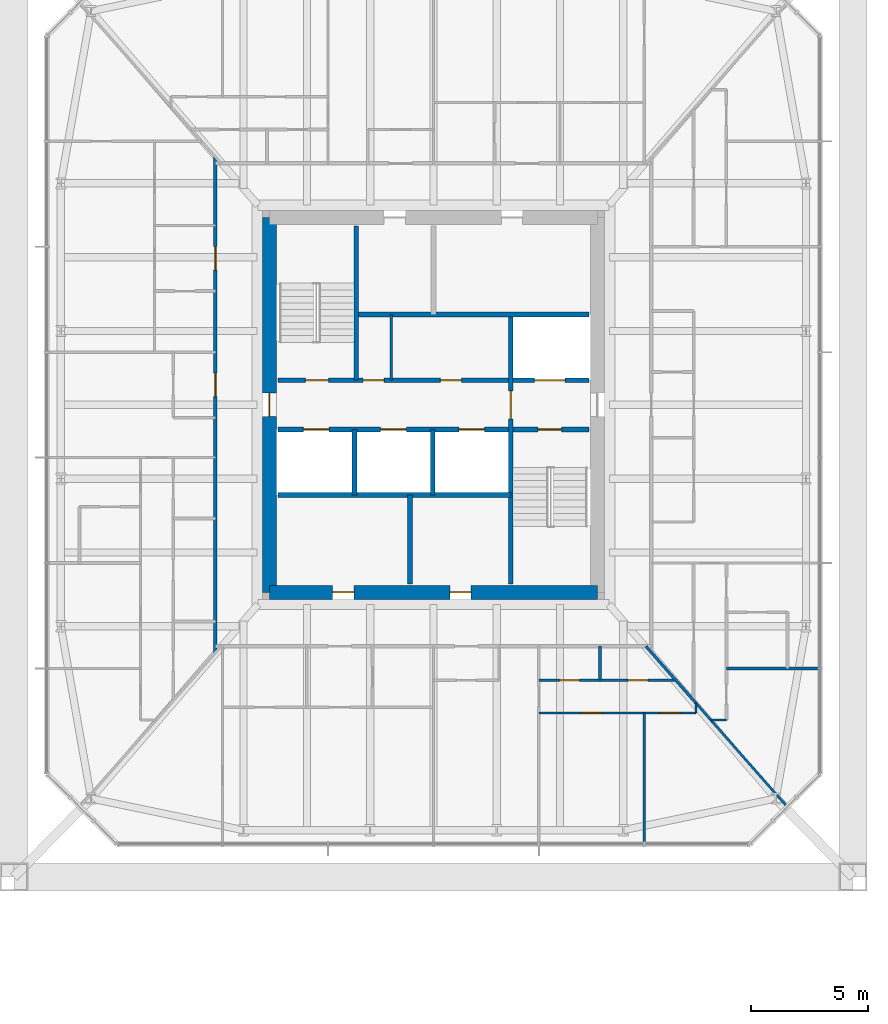
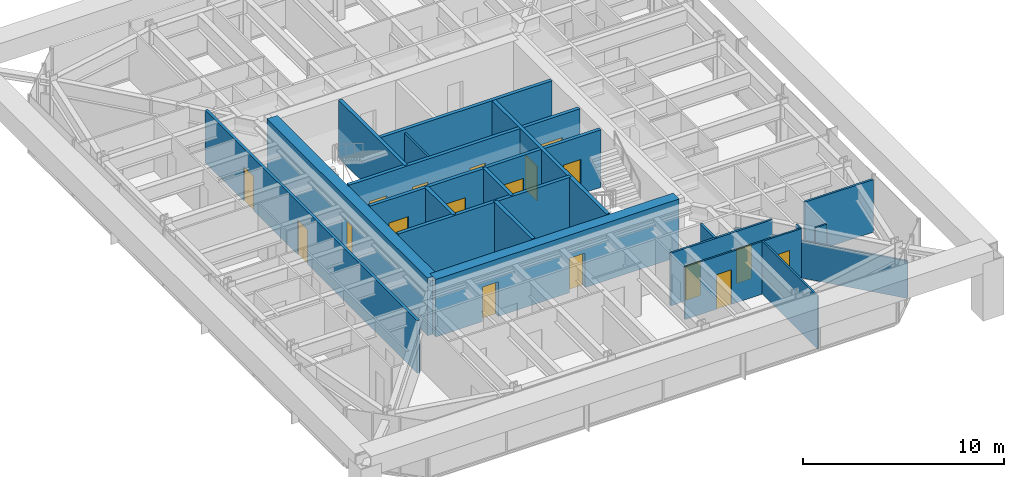
# One storey, part 25 of 32: 22 walls, 18 doors, 18 openings.
"""IFC4 building model written with IfcOpenShell, lengths in metres."""

import ifcopenshell
import ifcopenshell.guid

model = None  # the IFC model being written
_history = None  # IfcOwnerHistory: only IFC2X3 demands one
_inside = {}  # id of a spatial element -> (the spatial element, [elements in it])
_under = {}  # id of a project, library or spatial element -> (it, [spatial elements below it])
_declared = {}  # id of a project -> (the project, [libraries it declares])
_typed = {}  # id of a type object -> (the type object, [elements of that type])
_made_of = {}  # id of a material, layer set ... -> (it, [elements and type objects made of it])


def new_model(schema):
    """Start an empty IFC model of exactly this schema.

    Asked for "IFC4X3", IfcOpenShell would pick the latest addendum, in which some entities
    have other attributes; the version numbers below select the first issue.
    IFC2X3 requires an IfcOwnerHistory on every rooted entity: one is made here for all.
    """
    global model, _history
    if schema == "IFC4X3":
        model = ifcopenshell.file(schema_version=(4, 3, 0, 0))
    else:
        model = ifcopenshell.file(schema=schema)
    _inside.clear()
    _under.clear()
    _declared.clear()
    _typed.clear()
    _made_of.clear()
    _history = None
    if model.schema == "IFC2X3":
        org = make("IfcOrganization", Name="unknown")
        user = make(
            "IfcPersonAndOrganization",
            ThePerson=make("IfcPerson", FamilyName="unknown"),
            TheOrganization=org,
        )
        app = make(
            "IfcApplication",
            ApplicationDeveloper=org,
            Version="unknown",
            ApplicationFullName="unknown",
            ApplicationIdentifier="unknown",
        )
        _history = make(
            "IfcOwnerHistory",
            OwningUser=user,
            OwningApplication=app,
            ChangeAction="ADDED",
            CreationDate=0,
        )
    return model


def make(cls, **values):
    """One entity of the class cls with the attributes given. An attribute that is None is left unset."""
    return model.create_entity(
        cls, **{name: value for name, value in values.items() if value is not None}
    )


def rooted(cls, **values):
    """An entity with a GlobalId (a new one), such as an element, a storey or a relation."""
    return make(cls, GlobalId=ifcopenshell.guid.new(), OwnerHistory=_history, **values)


def si_unit(unit_type, name, prefix=None):
    """IfcSIUnit, for example si_unit("LENGTHUNIT", "METRE", prefix="MILLI")."""
    return make("IfcSIUnit", UnitType=unit_type, Prefix=prefix, Name=name)


def assignment(units):
    """IfcUnitAssignment: the units of a project."""
    return None if units is None else make("IfcUnitAssignment", Units=units)


def point(xyz):
    """IfcCartesianPoint."""
    return None if xyz is None else make("IfcCartesianPoint", Coordinates=xyz)


def direction(xyz):
    """IfcDirection."""
    return None if xyz is None else make("IfcDirection", DirectionRatios=xyz)


def frame(location, z_axis=None, x_axis=None):
    """IfcAxis2Placement3D, a coordinate frame: its origin and axes. An axis left out is left unset."""
    return make(
        "IfcAxis2Placement3D",
        Location=point(location),
        Axis=direction(z_axis),
        RefDirection=direction(x_axis),
    )


def frame_2d(location, x_axis=None):
    """IfcAxis2Placement2D, a coordinate frame in the plane: its origin and x axis."""
    return make(
        "IfcAxis2Placement2D", Location=point(location), RefDirection=direction(x_axis)
    )


def origin():
    """The frame at (0, 0, 0) with its axes left unset."""
    return frame((0.0, 0.0, 0.0))


def place(relative_to, where):
    """IfcLocalPlacement: puts the frame where relative to a parent placement (None: the world)."""
    return make(
        "IfcLocalPlacement", PlacementRelTo=relative_to, RelativePlacement=where
    )


def context(
    kind, dimensions, precision=None, world=None, true_north=None, identifier=None
):
    """IfcGeometricRepresentationContext, for example the 3D "Model" context."""
    return make(
        "IfcGeometricRepresentationContext",
        ContextIdentifier=identifier,
        ContextType=kind,
        CoordinateSpaceDimension=dimensions,
        Precision=precision,
        WorldCoordinateSystem=world,
        TrueNorth=true_north,
    )


def subcontext(parent, identifier, kind, view, scale=None):
    """IfcGeometricRepresentationSubContext, for example "Body" below "Model"."""
    return make(
        "IfcGeometricRepresentationSubContext",
        ContextIdentifier=identifier,
        ContextType=kind,
        ParentContext=parent,
        TargetScale=scale,
        TargetView=view,
    )


def project(units=None, contexts=None):
    """IfcProject with its units and contexts."""
    return rooted(
        "IfcProject",
        Name="project",
        RepresentationContexts=contexts,
        UnitsInContext=assignment(units),
    )


def spatial(cls, under=None, at=None, **own):
    """A site, building, storey or space (cls), placed at a placement, below another one or the project."""
    s = rooted(cls, ObjectPlacement=at, **own)
    if under is not None:
        _under.setdefault(under.id(), (under, []))[1].append(s)
    return s


def profile(cls, at=None, kind="AREA", **sizes):
    """A parametric profile (cls). Its sizes go by their IFC names, for example OverallWidth=200.0."""
    return make(cls, ProfileType=kind, Position=at, **sizes)


def rectangle(**sizes):
    """IfcRectangleProfileDef."""
    return profile("IfcRectangleProfileDef", **sizes)


def extrude(swept, where, along, depth):
    """IfcExtrudedAreaSolid: the profile swept, set in the frame where, extruded along a direction by depth."""
    return make(
        "IfcExtrudedAreaSolid",
        SweptArea=swept,
        Position=where,
        ExtrudedDirection=direction(along),
        Depth=depth,
    )


def shape(context_of_items, identifier, shape_type, items):
    """IfcShapeRepresentation: the items that make up one representation, for example the "Body"."""
    return make(
        "IfcShapeRepresentation",
        ContextOfItems=context_of_items,
        RepresentationIdentifier=identifier,
        RepresentationType=shape_type,
        Items=items,
    )


def material(Name=None, Category=None):
    """IfcMaterial."""
    return make("IfcMaterial", Name=Name, Category=Category)


def layer(
    of_material, thickness, ventilated=None, Name=None, Category=None, Priority=None
):
    """IfcMaterialLayer: one layer of a wall or slab, of a material (None: an air gap)."""
    return make(
        "IfcMaterialLayer",
        Material=of_material,
        LayerThickness=thickness,
        IsVentilated=ventilated,
        Name=Name,
        Category=Category,
        Priority=Priority,
    )


def layer_set(layers, Name=None):
    """IfcMaterialLayerSet."""
    return make("IfcMaterialLayerSet", MaterialLayers=layers, LayerSetName=Name)


def made_of(thing, what):
    """Note that an element or type object is made of a material, layer set ...; save() writes the relation."""
    if what is not None:
        _made_of.setdefault(what.id(), (what, []))[1].append(thing)
    return thing


def type_object(cls, material=None, **own):
    """A type object (cls), such as IfcWallType, which elements share."""
    return made_of(rooted(cls, **own), material)


def element(
    cls,
    number,
    at=None,
    inside=None,
    cuts=None,
    type_object=None,
    material=None,
    context=None,
    identifier="Body",
    shape_type=None,
    held_by="IfcProductDefinitionShape",
    body=None,
    shapes=None,
    **own,
):
    """One element of the class cls, such as IfcWall. Its Tag is "e" and its number.

    at: its placement. inside: the storey or other place that contains it. cuts: it is an
    opening in that element (IfcRelVoidsElement). A single representation is given by context,
    identifier, shape_type and body (its items); several are given by shapes. held_by: the class
    of the entity that holds the representations. save() writes the other relations.
    """
    e = rooted(cls, Tag="e%d" % number, ObjectPlacement=at, **own)
    if body is not None:
        shapes = [shape(context, identifier, shape_type, body)]
    if shapes is not None:
        e.Representation = make(held_by, Representations=shapes)
    if inside is not None:
        _inside.setdefault(inside.id(), (inside, []))[1].append(e)
    if cuts is not None:
        rooted(
            "IfcRelVoidsElement", RelatingBuildingElement=cuts, RelatedOpeningElement=e
        )
    if type_object is not None:
        _typed.setdefault(type_object.id(), (type_object, []))[1].append(e)
    return made_of(e, material)


def fill(opening, filler):
    """IfcRelFillsElement: the door or window that sits in an opening."""
    return rooted(
        "IfcRelFillsElement",
        RelatingOpeningElement=opening,
        RelatedBuildingElement=filler,
    )


def aggregate(whole, parts):
    """IfcRelAggregates: a whole, such as a stair, and the parts it consists of."""
    return rooted("IfcRelAggregates", RelatingObject=whole, RelatedObjects=parts)


def save(model, path):
    """Write the relations noted so far, then the file.

    IfcRelAggregates (storeys below a building ...), IfcRelContainedInSpatialStructure (elements
    in a storey), IfcRelDefinesByType, IfcRelAssociatesMaterial and IfcRelDeclares: one each for
    every whole, place, type object, material and project.
    """
    for whole, parts in _under.values():
        aggregate(whole, parts)
    for where, things in _inside.values():
        rooted(
            "IfcRelContainedInSpatialStructure",
            RelatedElements=things,
            RelatingStructure=where,
        )
    for kind, things in _typed.values():
        rooted("IfcRelDefinesByType", RelatedObjects=things, RelatingType=kind)
    for what, things in _made_of.values():
        rooted("IfcRelAssociatesMaterial", RelatedObjects=things, RelatingMaterial=what)
    for by, libraries in _declared.values():
        rooted("IfcRelDeclares", RelatingContext=by, RelatedDefinitions=libraries)
    model.write(path)


model = new_model("IFC4")

# Units and contexts
model_context = context("Model", 3, precision=1e-05, world=origin(), true_north=direction((0.0, 1.0)))
body_context = subcontext(model_context, "Body", "Model", "MODEL_VIEW")
ifc_project = project(units=[si_unit("LENGTHUNIT", "METRE"), si_unit("AREAUNIT", "SQUARE_METRE"), si_unit("VOLUMEUNIT", "CUBIC_METRE"), si_unit("PLANEANGLEUNIT", "RADIAN"), si_unit("MASSUNIT", "GRAM", prefix="KILO")], contexts=[model_context])

# Site, building, storey
site_placement = place(None, origin())
site = spatial("IfcSite", under=ifc_project, at=site_placement, CompositionType="ELEMENT")
building_placement = place(site_placement, origin())
building = spatial("IfcBuilding", under=site, at=building_placement, Name="Iwan Alto Co-Living Towers", CompositionType="ELEMENT")
storey_placement = place(building_placement, frame((0.0, 0.0, 71.0)))
storey = spatial("IfcBuildingStorey", under=building, at=storey_placement, Name="L19", CompositionType="ELEMENT", Elevation=71.0)

# Wall, openings, doors
ifc_material_1 = material(Name="Gypsum board")
ifc_layer_1 = layer(ifc_material_1, 0.02490234375, Name="Board", Category="Finish")
ifc_material_2 = material(Name="Steel ASTM A1003 ST33H cold-formed studs", Category="steel")
ifc_layer_2 = layer(ifc_material_2, 0.10009765625, Name="Studs", Category="Framing")
ifc_layer_3 = layer(ifc_material_1, 0.02490234375, Name="Board", Category="Finish")
ifc_layer_set_1 = layer_set([ifc_layer_1, ifc_layer_2, ifc_layer_3], Name="CORRIDOR WALL 150")
wall_type_1 = type_object("IfcWallType", Name="CORRIDOR WALL 150", PredefinedType="PARTITIONING", material=ifc_layer_set_1)
wall_1_placement = place(storey_placement, frame((53.699951171875, -10.568115234375, 0.0), z_axis=(0.0, 0.0, 1.0), x_axis=(0.0, 1.0, 0.0)))
wall_1 = element("IfcWall", 1, at=wall_1_placement, inside=storey, type_object=wall_type_1, Name="Partition L19", PredefinedType="PARTITIONING", context=body_context, shape_type="SweptSolid", body=[
    extrude(rectangle(XDim=21.13623046875, YDim=0.14990234375, at=frame_2d((10.568115234375, 0.0))), origin(), (0.0, 0.0, 1.0), 3.199951171875),
])
opening_1_placement = place(wall_1_placement, frame((16.318115234375, 0.0, 0.0)))
opening_1 = element("IfcOpeningElement", 2, at=opening_1_placement, cuts=wall_1, Name="Opening D3", PredefinedType="OPENING", context=body_context, shape_type="SweptSolid", body=[
    extrude(rectangle(XDim=1.0, YDim=2.10009765625, at=frame_2d((0.5, 1.050048828125))), frame((0.0, 0.0849609375, 0.0), z_axis=(0.0, -1.0, 0.0), x_axis=(1.0, 0.0, 0.0)), (0.0, 0.0, 1.0), 0.169921875),
])
opening_2_placement = place(wall_1_placement, frame((10.91796875, 0.0, 0.0)))
opening_2 = element("IfcOpeningElement", 3, at=opening_2_placement, cuts=wall_1, Name="Opening D3", PredefinedType="OPENING", context=body_context, shape_type="SweptSolid", body=[
    extrude(rectangle(XDim=1.0, YDim=2.10009765625, at=frame_2d((0.5, 1.050048828125))), frame((0.0, 0.0849609375, 0.0), z_axis=(0.0, -1.0, 0.0), x_axis=(1.0, 0.0, 0.0)), (0.0, 0.0, 1.0), 0.169921875),
])
ifc_material_3 = material(Name="Steel frame with timber leaf", Category="steel")
door_type_1 = type_object("IfcDoorType", Name="FLAT ENTRANCE DOOR FD30S 1000X2100", OperationType="SINGLE_SWING_LEFT", PredefinedType="DOOR", material=ifc_material_3)
door_1_placement = place(opening_1_placement, origin())
door_1 = element("IfcDoor", 4, at=door_1_placement, inside=storey, type_object=door_type_1, Name="Apartment foyer door L19", OperationType="SINGLE_SWING_LEFT", OverallHeight=2.10009765625, OverallWidth=1.0, PredefinedType="DOOR", context=body_context, shape_type="SweptSolid", body=[
    extrude(rectangle(XDim=1.0, YDim=2.10009765625, at=frame_2d((0.5, 1.050048828125))), frame((0.0, 0.02490234375, 0.0), z_axis=(0.0, -1.0, 0.0), x_axis=(1.0, 0.0, 0.0)), (0.0, 0.0, 1.0), 0.050048828125),
])
fill(opening_1, door_1)
door_2_placement = place(opening_2_placement, origin())
door_2 = element("IfcDoor", 5, at=door_2_placement, inside=storey, type_object=door_type_1, Name="Apartment foyer door L19", OperationType="SINGLE_SWING_LEFT", OverallHeight=2.10009765625, OverallWidth=1.0, PredefinedType="DOOR", context=body_context, shape_type="SweptSolid", body=[
    extrude(rectangle(XDim=1.0, YDim=2.10009765625, at=frame_2d((0.5, 1.050048828125))), frame((0.0, 0.02490234375, 0.0), z_axis=(0.0, -1.0, 0.0), x_axis=(1.0, 0.0, 0.0)), (0.0, 0.0, 1.0), 0.050048828125),
])
fill(opening_2, door_2)

# Wall
ifc_layer_4 = layer(ifc_material_1, 0.012451171875, Name="Board", Category="Finish")
ifc_layer_5 = layer(ifc_material_2, 0.074951171875, Name="Studs", Category="Framing")
ifc_layer_6 = layer(ifc_material_1, 0.012451171875, Name="Board", Category="Finish")
ifc_layer_set_2 = layer_set([ifc_layer_4, ifc_layer_5, ifc_layer_6], Name="PARTITION 100")
wall_type_2 = type_object("IfcWallType", Name="PARTITION 100", PredefinedType="PARTITIONING", material=ifc_layer_set_2)
wall_2_placement = place(storey_placement, frame((74.8359375, -13.449951171875, 0.0), z_axis=(0.0, 0.0, 1.0), x_axis=(1.0, 0.0, 0.0)))
element("IfcWall", 6, at=wall_2_placement, inside=storey, type_object=wall_type_2, Name="Partition L19", PredefinedType="PARTITIONING", context=body_context, shape_type="SweptSolid", body=[
    extrude(rectangle(XDim=0.6640625, YDim=0.10009765625, at=frame_2d((0.33203125, 0.0))), origin(), (0.0, 0.0, 1.0), 3.199951171875),
])

# Wall, openings, doors
wall_3_placement = place(storey_placement, frame((67.5, -13.14990234375, 0.0), z_axis=(0.0, 0.0, 1.0), x_axis=(1.0, 0.0, 0.0)))
wall_3 = element("IfcWall", 7, at=wall_3_placement, inside=storey, type_object=wall_type_2, Name="Partition L19", PredefinedType="PARTITIONING", context=body_context, shape_type="SweptSolid", body=[
    extrude(rectangle(XDim=6.699951171875, YDim=0.10009765625, at=frame_2d((3.35009765625, 0.0))), origin(), (0.0, 0.0, 1.0), 3.199951171875),
])
opening_3_placement = place(wall_3_placement, frame((1.824951171875, 0.0, 0.0)))
opening_3 = element("IfcOpeningElement", 8, at=opening_3_placement, cuts=wall_3, Name="Opening D2", PredefinedType="OPENING", context=body_context, shape_type="SweptSolid", body=[
    extrude(rectangle(XDim=0.85009765625, YDim=2.10009765625, at=frame_2d((0.425048828125, 1.050048828125))), frame((0.0, 0.06005859375, 0.0), z_axis=(0.0, -1.0, 0.0), x_axis=(1.0, 0.0, 0.0)), (0.0, 0.0, 1.0), 0.1201171875),
])
opening_4_placement = place(wall_3_placement, frame((5.175048828125, 0.0, 0.0)))
opening_4 = element("IfcOpeningElement", 9, at=opening_4_placement, cuts=wall_3, Name="Opening D2", PredefinedType="OPENING", context=body_context, shape_type="SweptSolid", body=[
    extrude(rectangle(XDim=0.85009765625, YDim=2.10009765625, at=frame_2d((0.425048828125, 1.050048828125))), frame((0.0, 0.06005859375, 0.0), z_axis=(0.0, -1.0, 0.0), x_axis=(1.0, 0.0, 0.0)), (0.0, 0.0, 1.0), 0.1201171875),
])
ifc_material_4 = material(Name="Timber leaf in steel frame", Category="steel")
door_type_2 = type_object("IfcDoorType", Name="ROOM DOOR 850X2100", OperationType="SINGLE_SWING_LEFT", PredefinedType="DOOR", material=ifc_material_4)
door_3_placement = place(opening_3_placement, frame((0.85009765625, 0.0, 0.0), z_axis=(0.0, 0.0, 1.0), x_axis=(-1.0, 0.0, 0.0)))
door_3 = element("IfcDoor", 10, at=door_3_placement, inside=storey, type_object=door_type_2, Name="Study door L19", OperationType="SINGLE_SWING_RIGHT", OverallHeight=2.10009765625, OverallWidth=0.85009765625, PredefinedType="DOOR", context=body_context, shape_type="SweptSolid", body=[
    extrude(rectangle(XDim=0.85009765625, YDim=2.10009765625, at=frame_2d((0.425048828125, 1.050048828125))), frame((0.0, 0.02490234375, 0.0), z_axis=(0.0, -1.0, 0.0), x_axis=(1.0, 0.0, 0.0)), (0.0, 0.0, 1.0), 0.050048828125),
])
fill(opening_3, door_3)
door_4_placement = place(opening_4_placement, frame((0.85009765625, 0.0, 0.0), z_axis=(0.0, 0.0, 1.0), x_axis=(-1.0, 0.0, 0.0)))
door_4 = element("IfcDoor", 11, at=door_4_placement, inside=storey, type_object=door_type_2, Name="Bedroom door L19", OperationType="SINGLE_SWING_RIGHT", OverallHeight=2.10009765625, OverallWidth=0.85009765625, PredefinedType="DOOR", context=body_context, shape_type="SweptSolid", body=[
    extrude(rectangle(XDim=0.85009765625, YDim=2.10009765625, at=frame_2d((0.425048828125, 1.050048828125))), frame((0.0, 0.02490234375, 0.0), z_axis=(0.0, -1.0, 0.0), x_axis=(1.0, 0.0, 0.0)), (0.0, 0.0, 1.0), 0.050048828125),
])
fill(opening_4, door_4)

# Walls
wall_4_placement = place(storey_placement, frame((74.199951171875, -13.14990234375, 0.0), z_axis=(0.0, 0.0, 1.0), x_axis=(0.0, 1.0, 0.0)))
element("IfcWall", 12, at=wall_4_placement, inside=storey, type_object=wall_type_2, Name="Partition L19", PredefinedType="PARTITIONING", context=body_context, shape_type="SweptSolid", body=[
    extrude(rectangle(XDim=0.4228515625, YDim=0.10009765625, at=frame_2d((0.21142578125, 0.0))), origin(), (0.0, 0.0, 1.0), 3.199951171875),
])
wall_5_placement = place(storey_placement, frame((72.0, -18.68994140625, 0.0), z_axis=(0.0, 0.0, 1.0), x_axis=(0.0, 1.0, 0.0)))
element("IfcWall", 13, at=wall_5_placement, inside=storey, type_object=wall_type_2, Name="Partition L19", PredefinedType="PARTITIONING", context=body_context, shape_type="SweptSolid", body=[
    extrude(rectangle(XDim=5.5400390625, YDim=0.10009765625, at=frame_2d((2.77001953125, 0.0))), origin(), (0.0, 0.0, 1.0), 3.199951171875),
])
wall_6_placement = place(storey_placement, frame((61.199951171875, 1.050048828125, 0.0), z_axis=(0.0, 0.0, 1.0), x_axis=(0.0, 1.0, 0.0)))
element("IfcWall", 14, at=wall_6_placement, inside=storey, type_object=wall_type_2, Name="Partition L19", PredefinedType="PARTITIONING", context=body_context, shape_type="SweptSolid", body=[
    extrude(rectangle(XDim=2.800048828125, YDim=0.10009765625, at=frame_2d((1.39990234375, 0.0))), origin(), (0.0, 0.0, 1.0), 3.300048828125),
])
wall_7_placement = place(storey_placement, frame((78.056884765625, -17.109130859375, 0.0), z_axis=(0.0, 0.0, 1.0), x_axis=(-0.660698595885, 0.750651294141, 0.0)))
element("IfcWall", 15, at=wall_7_placement, inside=storey, type_object=wall_type_2, Name="Partition L19", PredefinedType="PARTITIONING", context=body_context, shape_type="SweptSolid", body=[
    extrude(rectangle(XDim=5.838134765625, YDim=0.10009765625, at=frame_2d((2.9189453125, 0.0))), origin(), (0.0, 0.0, 1.0), 2.27294921875),
])
ifc_material_5 = material(Name="Concrete f'c 70 MPa", Category="concrete")
ifc_layer_7 = layer(ifc_material_5, 0.199951171875)
ifc_layer_set_3 = layer_set([ifc_layer_7], Name="SHAFT WALL 200")
wall_type_3 = type_object("IfcWallType", Name="SHAFT WALL 200", PredefinedType="SOLIDWALL", material=ifc_layer_set_3)
wall_8_placement = place(storey_placement, frame((56.360107421875, -3.85009765625, 0.0), z_axis=(0.0, 0.0, 1.0), x_axis=(1.0, 0.0, 0.0)))
element("IfcWall", 16, at=wall_8_placement, inside=storey, type_object=wall_type_3, Name="Shaft wall L19", PredefinedType="SOLIDWALL", context=body_context, shape_type="SweptSolid", body=[
    extrude(rectangle(XDim=9.93994140625, YDim=0.199951171875, at=frame_2d((4.969970703125, 0.0))), origin(), (0.0, 0.0, 1.0), 3.5),
])

# Wall, openings, doors
wall_9_placement = place(storey_placement, frame((56.360107421875, -1.050048828125, 0.0), z_axis=(0.0, 0.0, 1.0), x_axis=(1.0, 0.0, 0.0)))
wall_9 = element("IfcWall", 17, at=wall_9_placement, inside=storey, type_object=wall_type_3, Name="Shaft wall L19", PredefinedType="SOLIDWALL", context=body_context, shape_type="SweptSolid", body=[
    extrude(rectangle(XDim=13.27978515625, YDim=0.199951171875, at=frame_2d((6.639892578125, 0.0))), origin(), (0.0, 0.0, 1.0), 3.5),
])
opening_5_placement = place(wall_9_placement, frame((11.110107421875, 0.0, 0.0)))
opening_5 = element("IfcOpeningElement", 18, at=opening_5_placement, cuts=wall_9, Name="Opening D5", PredefinedType="OPENING", context=body_context, shape_type="SweptSolid", body=[
    extrude(rectangle(XDim=1.0, YDim=2.10009765625, at=frame_2d((0.5, 1.050048828125))), frame((0.0, 0.10986328125, 0.0), z_axis=(0.0, -1.0, 0.0), x_axis=(1.0, 0.0, 0.0)), (0.0, 0.0, 1.0), 0.219970703125),
])
opening_6_placement = place(wall_9_placement, frame((1.0869140625, 0.0, 0.0)))
opening_6 = element("IfcOpeningElement", 19, at=opening_6_placement, cuts=wall_9, Name="Opening LD", PredefinedType="OPENING", context=body_context, shape_type="SweptSolid", body=[
    extrude(rectangle(XDim=1.10009765625, YDim=2.10009765625, at=frame_2d((0.550048828125, 1.050048828125))), frame((0.0, 0.10986328125, 0.0), z_axis=(0.0, -1.0, 0.0), x_axis=(1.0, 0.0, 0.0)), (0.0, 0.0, 1.0), 0.219970703125),
])
opening_7_placement = place(wall_9_placement, frame((4.389892578125, 0.0, 0.0)))
opening_7 = element("IfcOpeningElement", 20, at=opening_7_placement, cuts=wall_9, Name="Opening LD", PredefinedType="OPENING", context=body_context, shape_type="SweptSolid", body=[
    extrude(rectangle(XDim=1.10009765625, YDim=2.10009765625, at=frame_2d((0.550048828125, 1.050048828125))), frame((0.0, 0.10986328125, 0.0), z_axis=(0.0, -1.0, 0.0), x_axis=(1.0, 0.0, 0.0)), (0.0, 0.0, 1.0), 0.219970703125),
])
opening_8_placement = place(wall_9_placement, frame((7.72412109375, 0.0, 0.0)))
opening_8 = element("IfcOpeningElement", 21, at=opening_8_placement, cuts=wall_9, Name="Opening LD", PredefinedType="OPENING", context=body_context, shape_type="SweptSolid", body=[
    extrude(rectangle(XDim=1.10009765625, YDim=2.10009765625, at=frame_2d((0.550048828125, 1.050048828125))), frame((0.0, 0.10986328125, 0.0), z_axis=(0.0, -1.0, 0.0), x_axis=(1.0, 0.0, 0.0)), (0.0, 0.0, 1.0), 0.219970703125),
])
ifc_material_6 = material(Name="Steel frame with timber leaf", Category="steel")
door_type_3 = type_object("IfcDoorType", Name="LIFT LANDING DOOR 1100X2100", OperationType="DOUBLE_DOOR_SLIDING", PredefinedType="DOOR", material=ifc_material_6)
door_5_placement = place(opening_6_placement, origin())
door_5 = element("IfcDoor", 22, at=door_5_placement, inside=storey, type_object=door_type_3, Name="Lift P5-1 landing door L19", OperationType="DOUBLE_DOOR_SLIDING", OverallHeight=2.10009765625, OverallWidth=1.10009765625, PredefinedType="DOOR", context=body_context, shape_type="SweptSolid", body=[
    extrude(rectangle(XDim=1.10009765625, YDim=2.10009765625, at=frame_2d((0.550048828125, 1.050048828125))), frame((0.0, 0.02490234375, 0.0), z_axis=(0.0, -1.0, 0.0), x_axis=(1.0, 0.0, 0.0)), (0.0, 0.0, 1.0), 0.050048828125),
])
fill(opening_6, door_5)
door_6_placement = place(opening_7_placement, origin())
door_6 = element("IfcDoor", 23, at=door_6_placement, inside=storey, type_object=door_type_3, Name="Lift P5-2 landing door L19", OperationType="DOUBLE_DOOR_SLIDING", OverallHeight=2.10009765625, OverallWidth=1.10009765625, PredefinedType="DOOR", context=body_context, shape_type="SweptSolid", body=[
    extrude(rectangle(XDim=1.10009765625, YDim=2.10009765625, at=frame_2d((0.550048828125, 1.050048828125))), frame((0.0, 0.02490234375, 0.0), z_axis=(0.0, -1.0, 0.0), x_axis=(1.0, 0.0, 0.0)), (0.0, 0.0, 1.0), 0.050048828125),
])
fill(opening_7, door_6)
door_7_placement = place(opening_8_placement, origin())
door_7 = element("IfcDoor", 24, at=door_7_placement, inside=storey, type_object=door_type_3, Name="Lift P6-3 landing door L19", OperationType="DOUBLE_DOOR_SLIDING", OverallHeight=2.10009765625, OverallWidth=1.10009765625, PredefinedType="DOOR", context=body_context, shape_type="SweptSolid", body=[
    extrude(rectangle(XDim=1.10009765625, YDim=2.10009765625, at=frame_2d((0.550048828125, 1.050048828125))), frame((0.0, 0.02490234375, 0.0), z_axis=(0.0, -1.0, 0.0), x_axis=(1.0, 0.0, 0.0)), (0.0, 0.0, 1.0), 0.050048828125),
])
fill(opening_8, door_7)
ifc_material_7 = material(Name="Steel frame with timber leaf", Category="steel")
door_type_4 = type_object("IfcDoorType", Name="STAIR DOOR FD120S 1000X2100", OperationType="SINGLE_SWING_LEFT", PredefinedType="DOOR", material=ifc_material_7)
door_8_placement = place(opening_5_placement, frame((1.0, 0.0, 0.0), z_axis=(0.0, 0.0, 1.0), x_axis=(-1.0, 0.0, 0.0)))
door_8 = element("IfcDoor", 25, at=door_8_placement, inside=storey, type_object=door_type_4, Name="Stair S2 door L19", OperationType="SINGLE_SWING_RIGHT", OverallHeight=2.10009765625, OverallWidth=1.0, PredefinedType="DOOR", context=body_context, shape_type="SweptSolid", body=[
    extrude(rectangle(XDim=1.0, YDim=2.10009765625, at=frame_2d((0.5, 1.050048828125))), frame((0.0, 0.02490234375, 0.0), z_axis=(0.0, -1.0, 0.0), x_axis=(1.0, 0.0, 0.0)), (0.0, 0.0, 1.0), 0.050048828125),
])
fill(opening_5, door_8)

wall_10_placement = place(storey_placement, frame((56.360107421875, 1.050048828125, 0.0), z_axis=(0.0, 0.0, 1.0), x_axis=(1.0, 0.0, 0.0)))
wall_10 = element("IfcWall", 26, at=wall_10_placement, inside=storey, type_object=wall_type_3, Name="Shaft wall L19", PredefinedType="SOLIDWALL", context=body_context, shape_type="SweptSolid", body=[
    extrude(rectangle(XDim=13.27978515625, YDim=0.199951171875, at=frame_2d((6.639892578125, 0.0))), origin(), (0.0, 0.0, 1.0), 3.5),
])
opening_9_placement = place(wall_10_placement, frame((1.169921875, 0.0, 0.0)))
opening_9 = element("IfcOpeningElement", 27, at=opening_9_placement, cuts=wall_10, Name="Opening D5", PredefinedType="OPENING", context=body_context, shape_type="SweptSolid", body=[
    extrude(rectangle(XDim=1.0, YDim=2.10009765625, at=frame_2d((0.5, 1.050048828125))), frame((0.0, 0.10986328125, 0.0), z_axis=(0.0, -1.0, 0.0), x_axis=(1.0, 0.0, 0.0)), (0.0, 0.0, 1.0), 0.219970703125),
])
opening_10_placement = place(wall_10_placement, frame((6.93994140625, 0.0, 0.0)))
opening_10 = element("IfcOpeningElement", 28, at=opening_10_placement, cuts=wall_10, Name="Opening D8", PredefinedType="OPENING", context=body_context, shape_type="SweptSolid", body=[
    extrude(rectangle(XDim=0.89990234375, YDim=2.10009765625, at=frame_2d((0.449951171875, 1.050048828125))), frame((0.0, 0.10986328125, 0.0), z_axis=(0.0, -1.0, 0.0), x_axis=(1.0, 0.0, 0.0)), (0.0, 0.0, 1.0), 0.219970703125),
])
opening_11_placement = place(wall_10_placement, frame((3.639892578125, 0.0, 0.0)))
opening_11 = element("IfcOpeningElement", 29, at=opening_11_placement, cuts=wall_10, Name="Opening D15", PredefinedType="OPENING", context=body_context, shape_type="SweptSolid", body=[
    extrude(rectangle(XDim=0.89990234375, YDim=2.10009765625, at=frame_2d((0.449951171875, 1.050048828125))), frame((0.0, 0.10986328125, 0.0), z_axis=(0.0, -1.0, 0.0), x_axis=(1.0, 0.0, 0.0)), (0.0, 0.0, 1.0), 0.219970703125),
])
opening_12_placement = place(wall_10_placement, frame((10.9599609375, 0.0, 0.0)))
opening_12 = element("IfcOpeningElement", 30, at=opening_12_placement, cuts=wall_10, Name="Opening LD2", PredefinedType="OPENING", context=body_context, shape_type="SweptSolid", body=[
    extrude(rectangle(XDim=1.300048828125, YDim=2.10009765625, at=frame_2d((0.64990234375, 1.050048828125))), frame((0.0, 0.10986328125, 0.0), z_axis=(0.0, -1.0, 0.0), x_axis=(1.0, 0.0, 0.0)), (0.0, 0.0, 1.0), 0.219970703125),
])
ifc_material_8 = material(Name="Steel frame with timber leaf", Category="steel")
door_type_5 = type_object("IfcDoorType", Name="CORE ROOM DOOR FD60S 900X2100", OperationType="SINGLE_SWING_LEFT", PredefinedType="DOOR", material=ifc_material_8)
door_9_placement = place(opening_11_placement, origin())
door_9 = element("IfcDoor", 31, at=door_9_placement, inside=storey, type_object=door_type_5, Name="Cleaner's store door L19", OperationType="SINGLE_SWING_LEFT", OverallHeight=2.10009765625, OverallWidth=0.89990234375, PredefinedType="DOOR", context=body_context, shape_type="SweptSolid", body=[
    extrude(rectangle(XDim=0.89990234375, YDim=2.10009765625, at=frame_2d((0.449951171875, 1.050048828125))), frame((0.0, 0.02490234375, 0.0), z_axis=(0.0, -1.0, 0.0), x_axis=(1.0, 0.0, 0.0)), (0.0, 0.0, 1.0), 0.050048828125),
])
fill(opening_11, door_9)
ifc_material_9 = material(Name="Steel frame with timber leaf", Category="steel")
door_type_6 = type_object("IfcDoorType", Name="LIFT LANDING DOOR 1300X2100", OperationType="SLIDING_TO_LEFT", PredefinedType="DOOR", material=ifc_material_9)
door_10_placement = place(opening_12_placement, origin())
door_10 = element("IfcDoor", 32, at=door_10_placement, inside=storey, type_object=door_type_6, Name="Lift FL2 landing door L19", OperationType="SLIDING_TO_LEFT", OverallHeight=2.10009765625, OverallWidth=1.300048828125, PredefinedType="DOOR", context=body_context, shape_type="SweptSolid", body=[
    extrude(rectangle(XDim=1.300048828125, YDim=2.10009765625, at=frame_2d((0.64990234375, 1.050048828125))), frame((0.0, 0.02490234375, 0.0), z_axis=(0.0, -1.0, 0.0), x_axis=(1.0, 0.0, 0.0)), (0.0, 0.0, 1.0), 0.050048828125),
])
fill(opening_12, door_10)
ifc_material_10 = material(Name="Steel frame with timber leaf", Category="steel")
door_type_7 = type_object("IfcDoorType", Name="RISER DOOR FD120 900X2100", OperationType="SINGLE_SWING_LEFT", PredefinedType="DOOR", material=ifc_material_10)
door_11_placement = place(opening_10_placement, origin())
door_11 = element("IfcDoor", 33, at=door_11_placement, inside=storey, type_object=door_type_7, Name="Riser room door L19", OperationType="SINGLE_SWING_LEFT", OverallHeight=2.10009765625, OverallWidth=0.89990234375, PredefinedType="DOOR", context=body_context, shape_type="SweptSolid", body=[
    extrude(rectangle(XDim=0.89990234375, YDim=2.10009765625, at=frame_2d((0.449951171875, 1.050048828125))), frame((0.0, 0.02490234375, 0.0), z_axis=(0.0, -1.0, 0.0), x_axis=(1.0, 0.0, 0.0)), (0.0, 0.0, 1.0), 0.050048828125),
])
fill(opening_10, door_11)
door_12_placement = place(opening_9_placement, origin())
door_12 = element("IfcDoor", 34, at=door_12_placement, inside=storey, type_object=door_type_4, Name="Stair S1 door L19", OperationType="SINGLE_SWING_RIGHT", OverallHeight=2.10009765625, OverallWidth=1.0, PredefinedType="DOOR", context=body_context, shape_type="SweptSolid", body=[
    extrude(rectangle(XDim=1.0, YDim=2.10009765625, at=frame_2d((0.5, 1.050048828125))), frame((0.0, 0.02490234375, 0.0), z_axis=(0.0, -1.0, 0.0), x_axis=(1.0, 0.0, 0.0)), (0.0, 0.0, 1.0), 0.050048828125),
])
fill(opening_9, door_12)

# Wall
wall_11_placement = place(storey_placement, frame((59.699951171875, 3.85009765625, 0.0), z_axis=(0.0, 0.0, 1.0), x_axis=(1.0, 0.0, 0.0)))
element("IfcWall", 35, at=wall_11_placement, inside=storey, type_object=wall_type_3, Name="Shaft wall L19", PredefinedType="SOLIDWALL", context=body_context, shape_type="SweptSolid", body=[
    extrude(rectangle(XDim=9.93994140625, YDim=0.199951171875, at=frame_2d((4.969970703125, 0.0))), origin(), (0.0, 0.0, 1.0), 3.5),
])

# Wall, opening, door
wall_12_placement = place(storey_placement, frame((66.300048828125, -7.639892578125, 0.0), z_axis=(0.0, 0.0, 1.0), x_axis=(0.0, 1.0, 0.0)))
wall_12 = element("IfcWall", 36, at=wall_12_placement, inside=storey, type_object=wall_type_3, Name="Shaft wall L19", PredefinedType="SOLIDWALL", context=body_context, shape_type="SweptSolid", body=[
    extrude(rectangle(XDim=11.489990234375, YDim=0.199951171875, at=frame_2d((5.7451171875, 0.0))), origin(), (0.0, 0.0, 1.0), 3.5),
])
opening_13_placement = place(wall_12_placement, frame((7.0400390625, 0.0, 0.0)))
opening_13 = element("IfcOpeningElement", 37, at=opening_13_placement, cuts=wall_12, Name="Opening D6", PredefinedType="OPENING", context=body_context, shape_type="SweptSolid", body=[
    extrude(rectangle(XDim=1.199951171875, YDim=2.10009765625, at=frame_2d((0.60009765625, 1.050048828125))), frame((0.0, 0.10986328125, 0.0), z_axis=(0.0, -1.0, 0.0), x_axis=(1.0, 0.0, 0.0)), (0.0, 0.0, 1.0), 0.219970703125),
])
ifc_material_11 = material(Name="Steel frame with timber leaf", Category="steel")
door_type_8 = type_object("IfcDoorType", Name="LOBBY DOOR FD120S 1200X2100", OperationType="SINGLE_SWING_LEFT", PredefinedType="DOOR", material=ifc_material_11)
door_13_placement = place(opening_13_placement, frame((1.199951171875, 0.0, 0.0), z_axis=(0.0, 0.0, 1.0), x_axis=(-1.0, 0.0, 0.0)))
door_13 = element("IfcDoor", 38, at=door_13_placement, inside=storey, type_object=door_type_8, Name="Firefighting lobby door L19", OperationType="SINGLE_SWING_RIGHT", OverallHeight=2.10009765625, OverallWidth=1.199951171875, PredefinedType="DOOR", context=body_context, shape_type="SweptSolid", body=[
    extrude(rectangle(XDim=1.199951171875, YDim=2.10009765625, at=frame_2d((0.60009765625, 1.050048828125))), frame((0.0, 0.02490234375, 0.0), z_axis=(0.0, -1.0, 0.0), x_axis=(1.0, 0.0, 0.0)), (0.0, 0.0, 1.0), 0.050048828125),
])
fill(opening_13, door_13)

# Walls
wall_13_placement = place(storey_placement, frame((62.967041015625, -3.85009765625, 0.0), z_axis=(0.0, 0.0, 1.0), x_axis=(0.0, 1.0, 0.0)))
element("IfcWall", 39, at=wall_13_placement, inside=storey, type_object=wall_type_3, Name="Shaft wall L19", PredefinedType="SOLIDWALL", context=body_context, shape_type="SweptSolid", body=[
    extrude(rectangle(XDim=2.800048828125, YDim=0.199951171875, at=frame_2d((1.39990234375, 0.0))), origin(), (0.0, 0.0, 1.0), 3.5),
])
wall_14_placement = place(storey_placement, frame((62.0, -7.639892578125, 0.0), z_axis=(0.0, 0.0, 1.0), x_axis=(0.0, 1.0, 0.0)))
element("IfcWall", 40, at=wall_14_placement, inside=storey, type_object=wall_type_3, Name="Shaft wall L19", PredefinedType="SOLIDWALL", context=body_context, shape_type="SweptSolid", body=[
    extrude(rectangle(XDim=3.789794921875, YDim=0.199951171875, at=frame_2d((1.89501953125, 0.0))), origin(), (0.0, 0.0, 1.0), 3.5),
])
wall_15_placement = place(storey_placement, frame((59.699951171875, 1.050048828125, 0.0), z_axis=(0.0, 0.0, 1.0), x_axis=(0.0, 1.0, 0.0)))
element("IfcWall", 41, at=wall_15_placement, inside=storey, type_object=wall_type_3, Name="Shaft wall L19", PredefinedType="SOLIDWALL", context=body_context, shape_type="SweptSolid", body=[
    extrude(rectangle(XDim=6.58984375, YDim=0.199951171875, at=frame_2d((3.294921875, 0.0))), origin(), (0.0, 0.0, 1.0), 3.5),
])
wall_16_placement = place(storey_placement, frame((59.633056640625, -3.85009765625, 0.0), z_axis=(0.0, 0.0, 1.0), x_axis=(0.0, 1.0, 0.0)))
element("IfcWall", 42, at=wall_16_placement, inside=storey, type_object=wall_type_3, Name="Shaft wall L19", PredefinedType="SOLIDWALL", context=body_context, shape_type="SweptSolid", body=[
    extrude(rectangle(XDim=2.800048828125, YDim=0.199951171875, at=frame_2d((1.39990234375, 0.0))), origin(), (0.0, 0.0, 1.0), 3.5),
])

# Wall, openings, doors
ifc_material_12 = material(Name="Concrete f'c 70 MPa", Category="concrete")
ifc_layer_8 = layer(ifc_material_12, 0.60009765625)
ifc_layer_set_4 = layer_set([ifc_layer_8], Name="T2 CORE WALL 600")
wall_type_4 = type_object("IfcWallType", Name="T2 CORE WALL 600", PredefinedType="SHEAR", material=ifc_layer_set_4)
wall_17_placement = place(storey_placement, frame((56.0, -8.0, 0.0), z_axis=(0.0, 0.0, 1.0), x_axis=(1.0, 0.0, 0.0)))
wall_17 = element("IfcWall", 43, at=wall_17_placement, inside=storey, type_object=wall_type_4, Name="T2 core wall S L19", PredefinedType="SHEAR", context=body_context, shape_type="SweptSolid", body=[
    extrude(rectangle(XDim=14.0, YDim=0.60009765625, at=frame_2d((7.0, 0.0))), origin(), (0.0, 0.0, 1.0), 3.5),
])
opening_14_placement = place(wall_17_placement, frame((2.699951171875, 0.0, 0.0)))
opening_14 = element("IfcOpeningElement", 44, at=opening_14_placement, cuts=wall_17, Name="Opening D8", PredefinedType="OPENING", context=body_context, shape_type="SweptSolid", body=[
    extrude(rectangle(XDim=0.89990234375, YDim=2.10009765625, at=frame_2d((0.449951171875, 1.050048828125))), frame((0.0, 0.31005859375, 0.0), z_axis=(0.0, -1.0, 0.0), x_axis=(1.0, 0.0, 0.0)), (0.0, 0.0, 1.0), 0.6201171875),
])
opening_15_placement = place(wall_17_placement, frame((7.699951171875, 0.0, 0.0)))
opening_15 = element("IfcOpeningElement", 45, at=opening_15_placement, cuts=wall_17, Name="Opening D8", PredefinedType="OPENING", context=body_context, shape_type="SweptSolid", body=[
    extrude(rectangle(XDim=0.89990234375, YDim=2.10009765625, at=frame_2d((0.449951171875, 1.050048828125))), frame((0.0, 0.31005859375, 0.0), z_axis=(0.0, -1.0, 0.0), x_axis=(1.0, 0.0, 0.0)), (0.0, 0.0, 1.0), 0.6201171875),
])
door_14_placement = place(opening_14_placement, origin())
door_14 = element("IfcDoor", 46, at=door_14_placement, inside=storey, type_object=door_type_7, Name="Refuse room core door L19", OperationType="SINGLE_SWING_LEFT", OverallHeight=2.10009765625, OverallWidth=0.89990234375, PredefinedType="DOOR", context=body_context, shape_type="SweptSolid", body=[
    extrude(rectangle(XDim=0.89990234375, YDim=2.10009765625, at=frame_2d((0.449951171875, 1.050048828125))), frame((0.0, 0.02490234375, 0.0), z_axis=(0.0, -1.0, 0.0), x_axis=(1.0, 0.0, 0.0)), (0.0, 0.0, 1.0), 0.050048828125),
])
fill(opening_14, door_14)
door_15_placement = place(opening_15_placement, origin())
door_15 = element("IfcDoor", 47, at=door_15_placement, inside=storey, type_object=door_type_7, Name="Telecom riser core door L19", OperationType="SINGLE_SWING_LEFT", OverallHeight=2.10009765625, OverallWidth=0.89990234375, PredefinedType="DOOR", context=body_context, shape_type="SweptSolid", body=[
    extrude(rectangle(XDim=0.89990234375, YDim=2.10009765625, at=frame_2d((0.449951171875, 1.050048828125))), frame((0.0, 0.02490234375, 0.0), z_axis=(0.0, -1.0, 0.0), x_axis=(1.0, 0.0, 0.0)), (0.0, 0.0, 1.0), 0.050048828125),
])
fill(opening_15, door_15)

# Wall, opening, door
wall_18_placement = place(storey_placement, frame((56.0, 8.0, 0.0), z_axis=(0.0, 0.0, 1.0), x_axis=(0.0, -1.0, 0.0)))
wall_18 = element("IfcWall", 48, at=wall_18_placement, inside=storey, type_object=wall_type_4, Name="T2 core wall W L19", PredefinedType="SHEAR", context=body_context, shape_type="SweptSolid", body=[
    extrude(rectangle(XDim=16.0, YDim=0.60009765625, at=frame_2d((8.0, 0.0))), origin(), (0.0, 0.0, 1.0), 3.5),
])
opening_16_placement = place(wall_18_placement, frame((7.5, 0.0, 0.0)))
opening_16 = element("IfcOpeningElement", 49, at=opening_16_placement, cuts=wall_18, Name="Opening D7", PredefinedType="OPENING", context=body_context, shape_type="SweptSolid", body=[
    extrude(rectangle(XDim=1.0, YDim=2.10009765625, at=frame_2d((0.5, 1.050048828125))), frame((0.0, 0.31005859375, 0.0), z_axis=(0.0, -1.0, 0.0), x_axis=(1.0, 0.0, 0.0)), (0.0, 0.0, 1.0), 0.6201171875),
])
ifc_material_13 = material(Name="Steel frame with timber leaf", Category="steel")
door_type_9 = type_object("IfcDoorType", Name="CORE DOOR FD120S 1000X2100", OperationType="SINGLE_SWING_LEFT", PredefinedType="DOOR", material=ifc_material_13)
door_16_placement = place(opening_16_placement, origin())
door_16 = element("IfcDoor", 50, at=door_16_placement, inside=storey, type_object=door_type_9, Name="Lift lobby core door L19", OperationType="SINGLE_SWING_RIGHT", OverallHeight=2.10009765625, OverallWidth=1.0, PredefinedType="DOOR", context=body_context, shape_type="SweptSolid", body=[
    extrude(rectangle(XDim=1.0, YDim=2.10009765625, at=frame_2d((0.5, 1.050048828125))), frame((0.0, 0.02490234375, 0.0), z_axis=(0.0, -1.0, 0.0), x_axis=(1.0, 0.0, 0.0)), (0.0, 0.0, 1.0), 0.050048828125),
])
fill(opening_16, door_16)

# Wall, openings, doors
ifc_material_14 = material(Name="Cement board")
ifc_layer_9 = layer(ifc_material_14, 0.012451171875, Name="Board", Category="Finish")
ifc_layer_10 = layer(ifc_material_2, 0.094970703125, Name="Studs", Category="Framing")
ifc_layer_11 = layer(ifc_material_14, 0.012451171875, Name="Board", Category="Finish")
ifc_layer_set_5 = layer_set([ifc_layer_9, ifc_layer_10, ifc_layer_11], Name="WET AREA PARTITION 120")
wall_type_5 = type_object("IfcWallType", Name="WET AREA PARTITION 120", PredefinedType="PARTITIONING", material=ifc_layer_set_5)
wall_19_placement = place(storey_placement, frame((67.5, -11.75, 0.0), z_axis=(0.0, 0.0, 1.0), x_axis=(1.0, 0.0, 0.0)))
wall_19 = element("IfcWall", 51, at=wall_19_placement, inside=storey, type_object=wall_type_5, Name="Partition L19", PredefinedType="PARTITIONING", context=body_context, shape_type="SweptSolid", body=[
    extrude(rectangle(XDim=5.840087890625, YDim=0.1201171875, at=frame_2d((2.919921875, 0.0))), origin(), (0.0, 0.0, 1.0), 3.199951171875),
])
opening_17_placement = place(wall_19_placement, frame((0.875, 0.0, 0.0)))
opening_17 = element("IfcOpeningElement", 52, at=opening_17_placement, cuts=wall_19, Name="Opening D2", PredefinedType="OPENING", context=body_context, shape_type="SweptSolid", body=[
    extrude(rectangle(XDim=0.85009765625, YDim=2.10009765625, at=frame_2d((0.425048828125, 1.050048828125))), frame((0.0, 0.070068359375, 0.0), z_axis=(0.0, -1.0, 0.0), x_axis=(1.0, 0.0, 0.0)), (0.0, 0.0, 1.0), 0.14013671875),
])
opening_18_placement = place(wall_19_placement, frame((3.794921875, 0.0, 0.0)))
opening_18 = element("IfcOpeningElement", 53, at=opening_18_placement, cuts=wall_19, Name="Opening D2", PredefinedType="OPENING", context=body_context, shape_type="SweptSolid", body=[
    extrude(rectangle(XDim=0.85009765625, YDim=2.10009765625, at=frame_2d((0.425048828125, 1.050048828125))), frame((0.0, 0.070068359375, 0.0), z_axis=(0.0, -1.0, 0.0), x_axis=(1.0, 0.0, 0.0)), (0.0, 0.0, 1.0), 0.14013671875),
])
door_17_placement = place(opening_17_placement, origin())
door_17 = element("IfcDoor", 54, at=door_17_placement, inside=storey, type_object=door_type_2, Name="Shower room door L19", OperationType="SINGLE_SWING_LEFT", OverallHeight=2.10009765625, OverallWidth=0.85009765625, PredefinedType="DOOR", context=body_context, shape_type="SweptSolid", body=[
    extrude(rectangle(XDim=0.85009765625, YDim=2.10009765625, at=frame_2d((0.425048828125, 1.050048828125))), frame((0.0, 0.02490234375, 0.0), z_axis=(0.0, -1.0, 0.0), x_axis=(1.0, 0.0, 0.0)), (0.0, 0.0, 1.0), 0.050048828125),
])
fill(opening_17, door_17)
door_18_placement = place(opening_18_placement, origin())
door_18 = element("IfcDoor", 55, at=door_18_placement, inside=storey, type_object=door_type_2, Name="Utility room door L19", OperationType="SINGLE_SWING_RIGHT", OverallHeight=2.10009765625, OverallWidth=0.85009765625, PredefinedType="DOOR", context=body_context, shape_type="SweptSolid", body=[
    extrude(rectangle(XDim=0.85009765625, YDim=2.10009765625, at=frame_2d((0.425048828125, 1.050048828125))), frame((0.0, 0.02490234375, 0.0), z_axis=(0.0, -1.0, 0.0), x_axis=(1.0, 0.0, 0.0)), (0.0, 0.0, 1.0), 0.050048828125),
])
fill(opening_18, door_18)

# Walls
wall_20_placement = place(storey_placement, frame((75.5, -11.25, 0.0), z_axis=(0.0, 0.0, 1.0), x_axis=(1.0, 0.0, 0.0)))
element("IfcWall", 56, at=wall_20_placement, inside=storey, type_object=wall_type_5, Name="Partition L19", PredefinedType="PARTITIONING", context=body_context, shape_type="SweptSolid", body=[
    extrude(rectangle(XDim=3.93994140625, YDim=0.1201171875, at=frame_2d((1.969970703125, 0.0))), origin(), (0.0, 0.0, 1.0), 3.199951171875),
])
wall_21_placement = place(storey_placement, frame((70.10009765625, -11.75, 0.0), z_axis=(0.0, 0.0, 1.0), x_axis=(0.0, 1.0, 0.0)))
element("IfcWall", 57, at=wall_21_placement, inside=storey, type_object=wall_type_5, Name="Partition L19", PredefinedType="PARTITIONING", context=body_context, shape_type="SweptSolid", body=[
    extrude(rectangle(XDim=1.449951171875, YDim=0.1201171875, at=frame_2d((0.72509765625, 0.0))), origin(), (0.0, 0.0, 1.0), 3.199951171875),
])
wall_22_placement = place(storey_placement, frame((74.199951171875, -12.72705078125, 0.0), z_axis=(0.0, 0.0, 1.0), x_axis=(-0.660667046586, 0.75067906162, 0.0)))
element("IfcWall", 58, at=wall_22_placement, inside=storey, type_object=wall_type_5, Name="Partition L19", PredefinedType="PARTITIONING", context=body_context, shape_type="SweptSolid", body=[
    extrude(rectangle(XDim=3.233154296875, YDim=0.1201171875, at=frame_2d((1.61669921875, 0.0))), origin(), (0.0, 0.0, 1.0), 2.27294921875),
])

save(model, "model.ifc")
